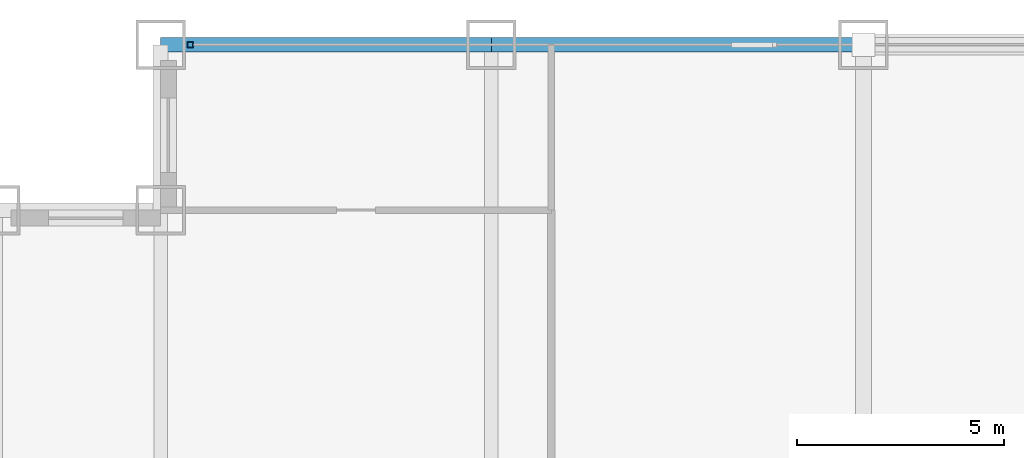
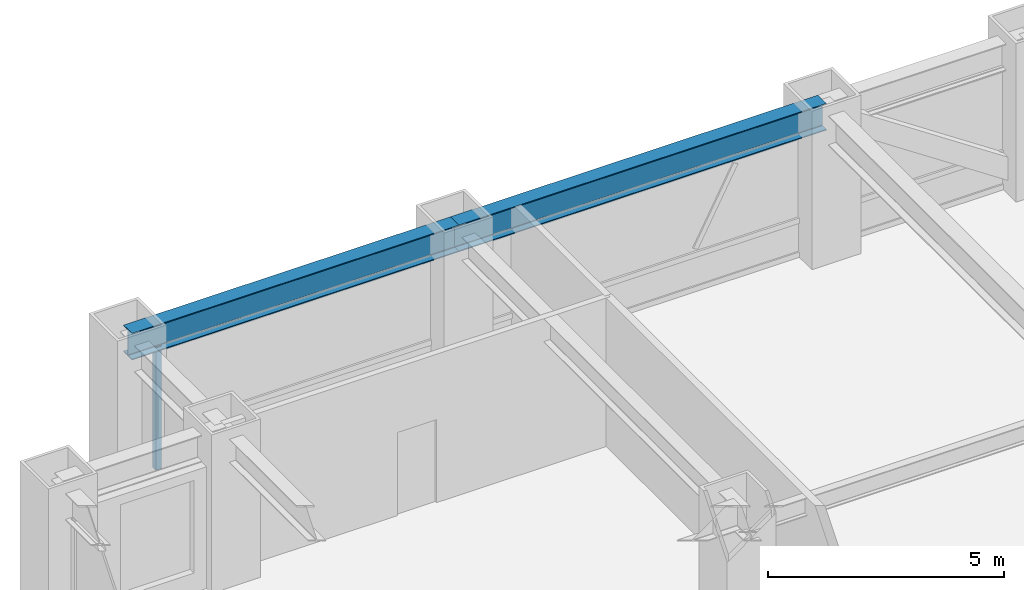
# One storey, part 17 of 28: 2 beams, 1 member, 1 element without a shape of its own.
"""IFC4 building model written with IfcOpenShell, lengths in metres."""

from ifc_helpers import new_model, si_unit, direction, frame, origin, origin_2d, place, context, subcontext, project, spatial, hollow_rectangle, i_section, extrude, source, transform, mapped, material, material_profile, profile_set, type_object, element, aggregate, save


model = new_model("IFC4")

# Units and contexts
model_context = context("Model", 3, precision=1e-05, world=origin(), true_north=direction((0.0, 1.0)))
body_context = subcontext(model_context, "Body", "Model", "MODEL_VIEW")
ifc_project = project(units=[si_unit("LENGTHUNIT", "METRE"), si_unit("AREAUNIT", "SQUARE_METRE"), si_unit("VOLUMEUNIT", "CUBIC_METRE"), si_unit("PLANEANGLEUNIT", "RADIAN"), si_unit("MASSUNIT", "GRAM", prefix="KILO")], contexts=[model_context])

# Site, building, storey
site_placement = place(None, origin())
site = spatial("IfcSite", under=ifc_project, at=site_placement, CompositionType="ELEMENT")
building_placement = place(site_placement, origin())
building = spatial("IfcBuilding", under=site, at=building_placement, Name="Khorayat Bourse Tower", CompositionType="ELEMENT")
storey_placement = place(building_placement, frame((0.0, 0.0, 116.0)))
storey = spatial("IfcBuildingStorey", under=building, at=storey_placement, Name="L26", CompositionType="ELEMENT", Elevation=116.0)

# Beams
ifc_material_1 = material(Name="Steel ASTM A992 Grade 50", Category="steel")
ifc_material_profile_1 = material_profile(ifc_material_1, i_section(OverallWidth=0.35498046875, OverallDepth=0.695068359375, WebThickness=0.015380859375, FlangeThickness=0.02490234375, FilletRadius=0.01806640625, at=origin_2d()), Name="W690X217")
ifc_profile_set_1 = profile_set([ifc_material_profile_1], Name="Steel ASTM A992 Grade 50")
beam_type = type_object("IfcBeamType", Name="BM-SPAN-690", PredefinedType="SPANDREL", material=ifc_profile_set_1)
shared_shape_1 = source(origin(), body_context, "Body", "SweptSolid", [
    extrude(i_section(OverallWidth=0.35498046875, OverallDepth=0.695068359375, WebThickness=0.015380859375, FlangeThickness=0.02490234375, FilletRadius=0.01806640625, at=origin_2d()), origin(), (0.0, 0.0, 1.0), 9.0),
])
beam_1_placement = place(storey_placement, frame((-20.0, 32.0, 3.492431640625), z_axis=(1.0, 0.0, 0.0), x_axis=(0.0, 1.0, 0.0)))
element("IfcBeam", 1, at=beam_1_placement, inside=storey, type_object=beam_type, Name="L26 BM-SPAN-690 BM-L26-SPN-050", PredefinedType="SPANDREL", context=body_context, shape_type="MappedRepresentation", body=[
    mapped(shared_shape_1, transform((0.0, 0.0, 0.0), scale=1.0)),
])
shared_shape_2 = source(origin(), body_context, "Body", "SweptSolid", [
    extrude(i_section(OverallWidth=0.35498046875, OverallDepth=0.695068359375, WebThickness=0.015380859375, FlangeThickness=0.02490234375, FilletRadius=0.01806640625, at=origin_2d()), origin(), (0.0, 0.0, 1.0), 8.0),
])
beam_2_placement = place(storey_placement, frame((-28.0, 32.0, 3.492431640625), z_axis=(1.0, 0.0, 0.0), x_axis=(0.0, 1.0, 0.0)))
element("IfcBeam", 2, at=beam_2_placement, inside=storey, type_object=beam_type, Name="L26 BM-SPAN-690 BM-L26-SPN-051", PredefinedType="SPANDREL", context=body_context, shape_type="MappedRepresentation", body=[
    mapped(shared_shape_2, transform((0.0, 0.0, 0.0), scale=1.0)),
])

# Curtain wall, member
ifc_material_2 = material(Name="Aluminium EN AW-6063 T6", Category="aluminium")
curtain_wall_type = type_object("IfcCurtainWallType", Name="CW-SYS-02", PredefinedType="NOTDEFINED", material=ifc_material_2)
curtain_wall_placement = place(storey_placement, origin())
curtain_wall = element("IfcCurtainWall", 3, at=curtain_wall_placement, inside=storey, type_object=curtain_wall_type, Name="L26 Curtain Wall CW-L26-N1", PredefinedType="NOTDEFINED")
ifc_material_profile_2 = material_profile(ifc_material_2, hollow_rectangle(XDim=0.139892578125, YDim=0.139892578125, WallThickness=0.006103515625, at=origin_2d()), Name="ALU 140x140x6")
ifc_profile_set_2 = profile_set([ifc_material_profile_2], Name="Aluminium EN AW-6063 T6")
member_type = type_object("IfcMemberType", Name="CWM-VERT-140", PredefinedType="MULLION", material=ifc_profile_set_2)
shared_shape_3 = source(origin(), body_context, "Body", "SweptSolid", [
    extrude(hollow_rectangle(XDim=0.139892578125, YDim=0.139892578125, WallThickness=0.006103515625, at=origin_2d()), origin(), (0.0, 0.0, 1.0), 3.18994140625),
])
member_placement = place(storey_placement, frame((-27.280029296875, 32.0, 0.0), z_axis=(0.0, 0.0, 1.0), x_axis=(0.0, 1.0, 0.0)))
member = element("IfcMember", 4, at=member_placement, type_object=member_type, Name="CW-L26-N1 Vertical Mullion 1", PredefinedType="MULLION", context=body_context, shape_type="MappedRepresentation", body=[
    mapped(shared_shape_3, transform((0.0, 0.0, 0.0), scale=1.0)),
])
aggregate(curtain_wall, [member])

save(model, "model.ifc")
